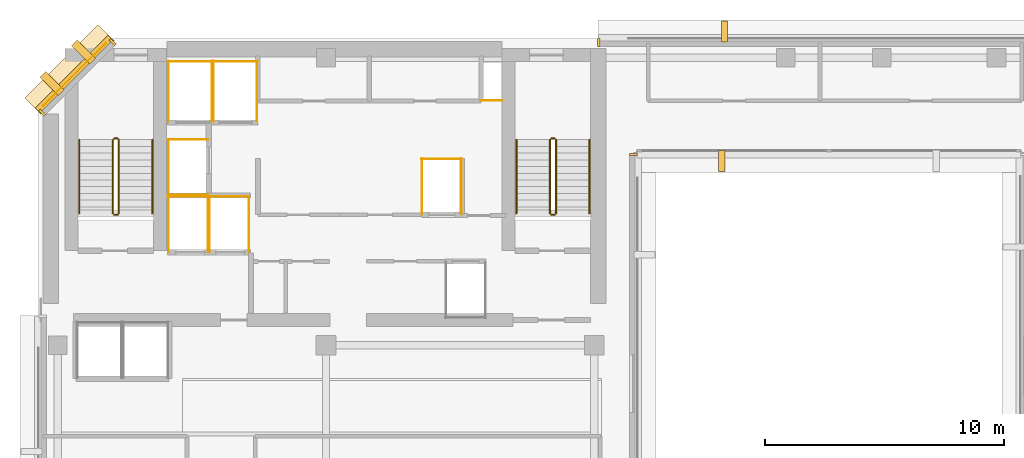
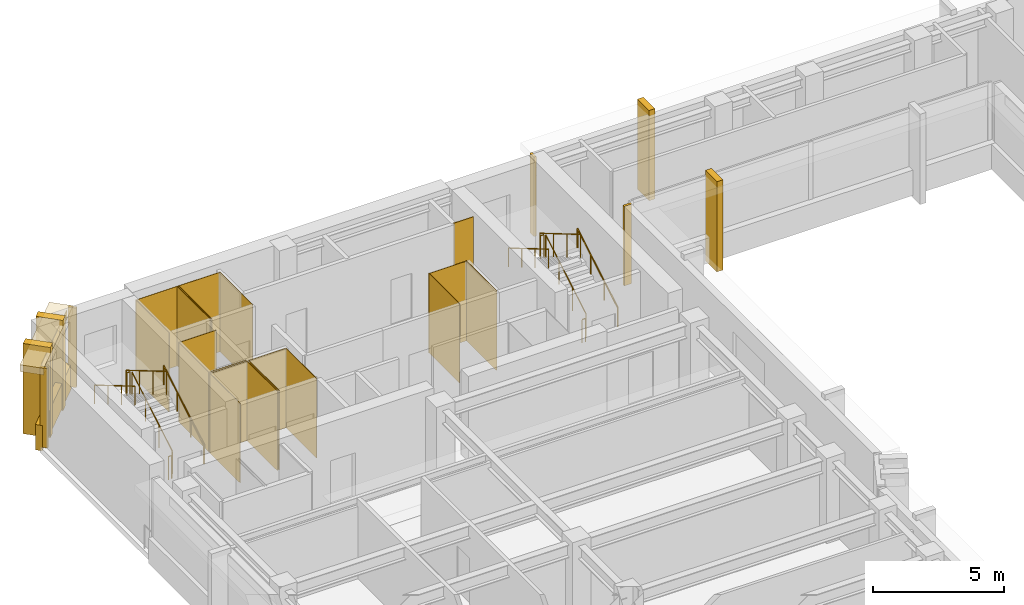
# One storey, part 10 of 11: 30 coverings, 12 railings.
"""IFC4 building model written with IfcOpenShell, lengths in metres."""

from ifc_helpers import new_model, si_unit, direction, frame, origin, origin_2d, place, context, subcontext, project, spatial, polyline, rectangle, circle, outline, extrude, material, layer, layer_set, type_object, element, save


model = new_model("IFC4")

# Units and contexts
model_context = context("Model", 3, precision=1e-05, world=origin(), true_north=direction((0.0, 1.0)))
body_context = subcontext(model_context, "Body", "Model", "MODEL_VIEW")
ifc_project = project(units=[si_unit("LENGTHUNIT", "METRE"), si_unit("AREAUNIT", "SQUARE_METRE"), si_unit("VOLUMEUNIT", "CUBIC_METRE"), si_unit("PLANEANGLEUNIT", "RADIAN"), si_unit("MASSUNIT", "GRAM", prefix="KILO")], contexts=[model_context])

# Site, building, storey
site_placement = place(None, origin())
site = spatial("IfcSite", under=ifc_project, at=site_placement, CompositionType="ELEMENT")
building_placement = place(site_placement, origin())
building = spatial("IfcBuilding", under=site, at=building_placement, Name="Kefirva Bronze Tower", CompositionType="ELEMENT")
storey_placement = place(building_placement, frame((0.0, 0.0, 239.580078125)))
storey = spatial("IfcBuildingStorey", under=building, at=storey_placement, Name="L58", CompositionType="ELEMENT", Elevation=239.580078125)

# Coverings
ifc_material_1 = material(Name="Bronze anodised aluminium", Category="aluminium")
ifc_layer_1 = layer(ifc_material_1, 0.02001953125, Name="Bronze anodised aluminium")
ifc_layer_set_1 = layer_set([ifc_layer_1], Name="Bronze anodised aluminium")
covering_type_1 = type_object("IfcCoveringType", Name="Anodised Bronze Spandrel Cladding 20mm", PredefinedType="CLADDING", material=ifc_layer_set_1)
for number, where, z_axis, x_axis, name in (
    (1, (24.840087890625, 41.1650390625, 0.0), (0.0, 0.0, 1.0), (0.0, 1.0, 0.0), "L58 Facade Joint Closure Panel 4E"),
    (2, (23.385009765625, 45.840087890625, 0.0), (0.0, 0.0, 1.0), (-1.0, 0.0, 0.0), "L58 Facade Joint Closure Panel 11E"),
):
    element("IfcCovering", number, at=place(storey_placement, frame(where, z_axis=z_axis, x_axis=x_axis)), inside=storey, type_object=covering_type_1, Name=name, PredefinedType="CLADDING", context=body_context, shape_type="SweptSolid", body=[
        extrude(rectangle(XDim=0.10009765625, YDim=0.320068359375, at=origin_2d()), origin(), (0.0, 0.0, 1.0), 3.7099609375),
    ])
covering_1_placement = place(storey_placement, frame((1.492919921875, 44.507080078125, 3.2900390625), z_axis=(0.0, 0.0, 1.0), x_axis=(-0.707106781187, -0.707106781187, 0.0)))
element("IfcCovering", 3, at=covering_1_placement, inside=storey, type_object=covering_type_1, Name="L58 Bronze Spandrel Cladding 12", PredefinedType="CLADDING", context=body_context, shape_type="SweptSolid", body=[
    extrude(rectangle(XDim=3.719482421875, YDim=0.02001953125, at=origin_2d()), origin(), (0.0, 0.0, 1.0), 0.39990234375),
])
for number, where, z_axis, x_axis, name in (
    (4, (3.08837890625, 45.862060546875, 0.0), (0.0, 0.0, 1.0), (-0.707106781187, -0.707106781187, 0.0), "L58 Facade Joint Closure Panel 12S"),
    (5, (0.137939453125, 42.91162109375, 0.0), (0.0, 0.0, 1.0), (-0.707106781187, -0.707106781187, 0.0), "L58 Facade Joint Closure Panel 12E"),
):
    element("IfcCovering", number, at=place(storey_placement, frame(where, z_axis=z_axis, x_axis=x_axis)), inside=storey, type_object=covering_type_1, Name=name, PredefinedType="CLADDING", context=body_context, shape_type="SweptSolid", body=[
        extrude(rectangle(XDim=0.10009765625, YDim=0.320068359375, at=origin_2d()), origin(), (0.0, 0.0, 1.0), 3.7099609375),
    ])
covering_2_placement = place(storey_placement, frame((1.4716796875, 44.5283203125, -0.16015625), z_axis=(0.0, 0.0, 1.0), x_axis=(-0.707106781187, -0.707106781187, 0.0)))
element("IfcCovering", 6, at=covering_2_placement, inside=storey, type_object=covering_type_1, Name="L58 Streamline Horizontal Spandrel Band 14", PredefinedType="CLADDING", context=body_context, shape_type="SweptSolid", body=[
    extrude(rectangle(XDim=4.28271484375, YDim=0.280029296875, at=origin_2d()), origin(), (0.0, 0.0, 1.0), 1.179931640625),
])
covering_3_placement = place(storey_placement, origin())
element("IfcCovering", 7, at=covering_3_placement, inside=storey, type_object=covering_type_1, Name="L58 Lift FF1 Hoistway Liner N", PredefinedType="CLADDING", context=body_context, shape_type="SweptSolid", body=[
    extrude(outline(polyline([(5.39990234375, 39.389892578125), (7.080078125, 39.389892578125), (7.080078125, 39.409912109375), (5.39990234375, 39.409912109375), (5.39990234375, 39.389892578125)])), origin(), (0.0, 0.0, 1.0), 3.7099609375),
])
covering_4_placement = place(storey_placement, origin())
element("IfcCovering", 8, at=covering_4_placement, inside=storey, type_object=covering_type_1, Name="L58 Lift FF1 Hoistway Liner W", PredefinedType="CLADDING", context=body_context, shape_type="SweptSolid", body=[
    extrude(outline(polyline([(5.409912109375, 37.080078125), (5.429931640625, 37.080078125), (5.429931640625, 39.419921875), (5.409912109375, 39.419921875), (5.409912109375, 37.080078125)])), origin(), (0.0, 0.0, 1.0), 3.7099609375),
])
covering_5_placement = place(storey_placement, origin())
element("IfcCovering", 9, at=covering_5_placement, inside=storey, type_object=covering_type_1, Name="L58 Lift FF1 Hoistway Liner E", PredefinedType="CLADDING", context=body_context, shape_type="SweptSolid", body=[
    extrude(outline(polyline([(7.050048828125, 37.080078125), (7.070068359375, 37.080078125), (7.070068359375, 39.419921875), (7.050048828125, 39.419921875), (7.050048828125, 37.080078125)])), origin(), (0.0, 0.0, 1.0), 3.7099609375),
])
covering_6_placement = place(storey_placement, origin())
element("IfcCovering", 10, at=covering_6_placement, inside=storey, type_object=covering_type_1, Name="L58 Lift FF2 Hoistway Liner N", PredefinedType="CLADDING", context=body_context, shape_type="SweptSolid", body=[
    extrude(outline(polyline([(7.1201171875, 39.389892578125), (8.800048828125, 39.389892578125), (8.800048828125, 39.409912109375), (7.1201171875, 39.409912109375), (7.1201171875, 39.389892578125)])), origin(), (0.0, 0.0, 1.0), 3.7099609375),
])
covering_7_placement = place(storey_placement, origin())
element("IfcCovering", 11, at=covering_7_placement, inside=storey, type_object=covering_type_1, Name="L58 Lift FF2 Hoistway Liner W", PredefinedType="CLADDING", context=body_context, shape_type="SweptSolid", body=[
    extrude(outline(polyline([(7.1298828125, 37.080078125), (7.14990234375, 37.080078125), (7.14990234375, 39.419921875), (7.1298828125, 39.419921875), (7.1298828125, 37.080078125)])), origin(), (0.0, 0.0, 1.0), 3.7099609375),
])
covering_8_placement = place(storey_placement, origin())
element("IfcCovering", 12, at=covering_8_placement, inside=storey, type_object=covering_type_1, Name="L58 Lift FF2 Hoistway Liner E", PredefinedType="CLADDING", context=body_context, shape_type="SweptSolid", body=[
    extrude(outline(polyline([(8.77001953125, 37.080078125), (8.7900390625, 37.080078125), (8.7900390625, 39.419921875), (8.77001953125, 39.419921875), (8.77001953125, 37.080078125)])), origin(), (0.0, 0.0, 1.0), 3.7099609375),
])
covering_9_placement = place(storey_placement, origin())
element("IfcCovering", 13, at=covering_9_placement, inside=storey, type_object=covering_type_1, Name="L58 Lift SV1 Hoistway Liner N", PredefinedType="CLADDING", context=body_context, shape_type="SweptSolid", body=[
    extrude(outline(polyline([(5.39990234375, 45.0400390625), (7.260009765625, 45.0400390625), (7.260009765625, 45.06005859375), (5.39990234375, 45.06005859375), (5.39990234375, 45.0400390625)])), origin(), (0.0, 0.0, 1.0), 3.7099609375),
])
covering_10_placement = place(storey_placement, origin())
element("IfcCovering", 14, at=covering_10_placement, inside=storey, type_object=covering_type_1, Name="L58 Lift SV1 Hoistway Liner W", PredefinedType="CLADDING", context=body_context, shape_type="SweptSolid", body=[
    extrude(outline(polyline([(5.409912109375, 42.530029296875), (5.429931640625, 42.530029296875), (5.429931640625, 45.070068359375), (5.409912109375, 45.070068359375), (5.409912109375, 42.530029296875)])), origin(), (0.0, 0.0, 1.0), 3.7099609375),
])
covering_11_placement = place(storey_placement, origin())
element("IfcCovering", 15, at=covering_11_placement, inside=storey, type_object=covering_type_1, Name="L58 Lift SV1 Hoistway Liner E", PredefinedType="CLADDING", context=body_context, shape_type="SweptSolid", body=[
    extrude(outline(polyline([(7.22998046875, 42.530029296875), (7.25, 42.530029296875), (7.25, 45.070068359375), (7.22998046875, 45.070068359375), (7.22998046875, 42.530029296875)])), origin(), (0.0, 0.0, 1.0), 3.7099609375),
])
covering_12_placement = place(storey_placement, origin())
element("IfcCovering", 16, at=covering_12_placement, inside=storey, type_object=covering_type_1, Name="L58 Lift SV2 Hoistway Liner N", PredefinedType="CLADDING", context=body_context, shape_type="SweptSolid", body=[
    extrude(outline(polyline([(7.280029296875, 45.0400390625), (9.139892578125, 45.0400390625), (9.139892578125, 45.06005859375), (7.280029296875, 45.06005859375), (7.280029296875, 45.0400390625)])), origin(), (0.0, 0.0, 1.0), 3.7099609375),
])
covering_13_placement = place(storey_placement, origin())
element("IfcCovering", 17, at=covering_13_placement, inside=storey, type_object=covering_type_1, Name="L58 Lift SV2 Hoistway Liner W", PredefinedType="CLADDING", context=body_context, shape_type="SweptSolid", body=[
    extrude(outline(polyline([(7.2900390625, 42.530029296875), (7.31005859375, 42.530029296875), (7.31005859375, 45.070068359375), (7.2900390625, 45.070068359375), (7.2900390625, 42.530029296875)])), origin(), (0.0, 0.0, 1.0), 3.7099609375),
])
covering_14_placement = place(storey_placement, origin())
element("IfcCovering", 18, at=covering_14_placement, inside=storey, type_object=covering_type_1, Name="L58 Lift SV2 Hoistway Liner E", PredefinedType="CLADDING", context=body_context, shape_type="SweptSolid", body=[
    extrude(outline(polyline([(9.110107421875, 42.530029296875), (9.1298828125, 42.530029296875), (9.1298828125, 45.070068359375), (9.110107421875, 45.070068359375), (9.110107421875, 42.530029296875)])), origin(), (0.0, 0.0, 1.0), 3.7099609375),
])
covering_15_placement = place(storey_placement, origin())
element("IfcCovering", 19, at=covering_15_placement, inside=storey, type_object=covering_type_1, Name="L58 Lift HP2 Hoistway Liner N", PredefinedType="CLADDING", context=body_context, shape_type="SweptSolid", body=[
    extrude(outline(polyline([(15.97998046875, 40.969970703125), (17.669921875, 40.969970703125), (17.669921875, 40.989990234375), (15.97998046875, 40.989990234375), (15.97998046875, 40.969970703125)])), origin(), (0.0, 0.0, 1.0), 3.7099609375),
])
covering_16_placement = place(storey_placement, origin())
element("IfcCovering", 20, at=covering_16_placement, inside=storey, type_object=covering_type_1, Name="L58 Lift HP2 Hoistway Liner W", PredefinedType="CLADDING", context=body_context, shape_type="SweptSolid", body=[
    extrude(outline(polyline([(15.989990234375, 38.659912109375), (16.010009765625, 38.659912109375), (16.010009765625, 41.0), (15.989990234375, 41.0), (15.989990234375, 38.659912109375)])), origin(), (0.0, 0.0, 1.0), 3.7099609375),
])
covering_17_placement = place(storey_placement, origin())
element("IfcCovering", 21, at=covering_17_placement, inside=storey, type_object=covering_type_1, Name="L58 Lift HP2 Hoistway Liner E", PredefinedType="CLADDING", context=body_context, shape_type="SweptSolid", body=[
    extrude(outline(polyline([(17.639892578125, 38.659912109375), (17.659912109375, 38.659912109375), (17.659912109375, 41.0), (17.639892578125, 41.0), (17.639892578125, 38.659912109375)])), origin(), (0.0, 0.0, 1.0), 3.7099609375),
])
covering_18_placement = place(storey_placement, origin())
element("IfcCovering", 22, at=covering_18_placement, inside=storey, type_object=covering_type_1, Name="L58 Lift HP3 Hoistway Liner N", PredefinedType="CLADDING", context=body_context, shape_type="SweptSolid", body=[
    extrude(outline(polyline([(5.39990234375, 41.77001953125), (7.080078125, 41.77001953125), (7.080078125, 41.7900390625), (5.39990234375, 41.7900390625), (5.39990234375, 41.77001953125)])), origin(), (0.0, 0.0, 1.0), 3.7099609375),
])
covering_19_placement = place(storey_placement, origin())
element("IfcCovering", 23, at=covering_19_placement, inside=storey, type_object=covering_type_1, Name="L58 Lift HP3 Hoistway Liner S", PredefinedType="CLADDING", context=body_context, shape_type="SweptSolid", body=[
    extrude(outline(polyline([(5.39990234375, 39.469970703125), (7.080078125, 39.469970703125), (7.080078125, 39.489990234375), (5.39990234375, 39.489990234375), (5.39990234375, 39.469970703125)])), origin(), (0.0, 0.0, 1.0), 3.7099609375),
])
covering_20_placement = place(storey_placement, origin())
element("IfcCovering", 24, at=covering_20_placement, inside=storey, type_object=covering_type_1, Name="L58 Lift HP3 Hoistway Liner W", PredefinedType="CLADDING", context=body_context, shape_type="SweptSolid", body=[
    extrude(outline(polyline([(5.409912109375, 39.4599609375), (5.429931640625, 39.4599609375), (5.429931640625, 41.800048828125), (5.409912109375, 41.800048828125), (5.409912109375, 39.4599609375)])), origin(), (0.0, 0.0, 1.0), 3.7099609375),
])
covering_21_placement = place(storey_placement, origin())
element("IfcCovering", 25, at=covering_21_placement, inside=storey, type_object=covering_type_1, Name="L58 Core MEP Riser Shaft Liner South", PredefinedType="CLADDING", context=body_context, shape_type="SweptSolid", body=[
    extrude(outline(polyline([(18.47998046875, 43.39990234375), (19.360107421875, 43.39990234375), (19.360107421875, 43.429931640625), (18.47998046875, 43.429931640625), (18.47998046875, 43.39990234375)])), origin(), (0.0, 0.0, 1.0), 3.7099609375),
])

# Railings
ifc_material_2 = material(Name="Stainless steel 316", Category="steel")
railing_type_1 = type_object("IfcRailingType", Name="Interior Stair Guardrail 1100mm", PredefinedType="GUARDRAIL", material=ifc_material_2)
railing_1_placement = place(storey_placement, frame((3.35009765625, 38.699951171875, 0.1650390625)))
element("IfcRailing", 26, at=railing_1_placement, inside=storey, type_object=railing_type_1, Name="L58 ST-1 stair guard 1", PredefinedType="GUARDRAIL", context=body_context, shape_type="SweptSolid", body=[
    extrude(circle(Radius=0.02392578125, at=origin_2d()), frame((0.0, 0.0, 1.076171875), z_axis=(0.0, 0.861551262678, 0.507670583921), x_axis=(-1.0, 0.0, 0.0)), (0.0, 0.0, 1.0), 3.574951171875),
    extrude(circle(Radius=0.02099609375, at=origin_2d()), origin(), (0.0, 0.0, 1.0), 1.052001953125),
    extrude(circle(Radius=0.02099609375, at=origin_2d()), frame((0.0, 1.026611328125, 0.60498046875)), (0.0, 0.0, 1.0), 1.052001953125),
    extrude(circle(Radius=0.02099609375, at=origin_2d()), frame((0.0, 2.053466796875, 1.2099609375)), (0.0, 0.0, 1.0), 1.052001953125),
    extrude(circle(Radius=0.02099609375, at=origin_2d()), frame((0.0, 3.080078125, 1.81494140625)), (0.0, 0.0, 1.0), 1.052001953125),
])
railing_2_placement = place(storey_placement, frame((3.300048828125, 41.830078125, 1.97998046875)))
element("IfcRailing", 27, at=railing_2_placement, inside=storey, type_object=railing_type_1, Name="L58 ST-1 stair guard 2", PredefinedType="GUARDRAIL", context=body_context, shape_type="SweptSolid", body=[
    extrude(circle(Radius=0.02392578125, at=origin_2d()), frame((0.0, 0.0, 1.076171875), z_axis=(-1.0, 0.0, 0.0), x_axis=(0.0, -1.0, 0.0)), (0.0, 0.0, 1.0), 0.150146484375),
    extrude(circle(Radius=0.02099609375, at=origin_2d()), origin(), (0.0, 0.0, 1.0), 1.052001953125),
    extrude(circle(Radius=0.02099609375, at=origin_2d()), frame((-0.150146484375, 0.0, 0.0)), (0.0, 0.0, 1.0), 1.052001953125),
])
railing_3_placement = place(storey_placement, frame((3.10009765625, 41.780029296875, 2.14501953125)))
element("IfcRailing", 28, at=railing_3_placement, inside=storey, type_object=railing_type_1, Name="L58 ST-1 stair guard 3", PredefinedType="GUARDRAIL", context=body_context, shape_type="SweptSolid", body=[
    extrude(circle(Radius=0.02392578125, at=origin_2d()), frame((0.0, 0.0, 1.076171875), z_axis=(0.0, -0.861551262678, 0.507670583921), x_axis=(1.0, 0.0, 0.0)), (0.0, 0.0, 1.0), 3.574951171875),
    extrude(circle(Radius=0.02099609375, at=origin_2d()), origin(), (0.0, 0.0, 1.0), 1.052001953125),
    extrude(circle(Radius=0.02099609375, at=origin_2d()), frame((0.0, -1.026611328125, 0.60498046875)), (0.0, 0.0, 1.0), 1.052001953125),
    extrude(circle(Radius=0.02099609375, at=origin_2d()), frame((0.0, -2.053466796875, 1.2099609375)), (0.0, 0.0, 1.0), 1.052001953125),
    extrude(circle(Radius=0.02099609375, at=origin_2d()), frame((0.0, -3.080078125, 1.81494140625)), (0.0, 0.0, 1.0), 1.052001953125),
])
railing_4_placement = place(storey_placement, frame((3.300048828125, 38.64990234375, 0.0)))
element("IfcRailing", 29, at=railing_4_placement, inside=storey, type_object=railing_type_1, Name="L58 ST-1 stair guard 4", PredefinedType="GUARDRAIL", context=body_context, shape_type="SweptSolid", body=[
    extrude(circle(Radius=0.02392578125, at=origin_2d()), frame((0.0, 0.0, 1.076171875), z_axis=(-1.0, 0.0, 0.0), x_axis=(0.0, -1.0, 0.0)), (0.0, 0.0, 1.0), 0.150146484375),
    extrude(circle(Radius=0.02099609375, at=origin_2d()), origin(), (0.0, 0.0, 1.0), 1.052001953125),
    extrude(circle(Radius=0.02099609375, at=origin_2d()), frame((-0.150146484375, 0.0, 0.0)), (0.0, 0.0, 1.0), 1.052001953125),
])
railing_5_placement = place(storey_placement, frame((21.60009765625, 38.699951171875, 0.1650390625)))
element("IfcRailing", 30, at=railing_5_placement, inside=storey, type_object=railing_type_1, Name="L58 ST-2 stair guard 1", PredefinedType="GUARDRAIL", context=body_context, shape_type="SweptSolid", body=[
    extrude(circle(Radius=0.02392578125, at=origin_2d()), frame((0.0, 0.0, 1.076171875), z_axis=(0.0, 0.861551262678, 0.507670583921), x_axis=(-1.0, 0.0, 0.0)), (0.0, 0.0, 1.0), 3.574951171875),
    extrude(circle(Radius=0.02099609375, at=origin_2d()), origin(), (0.0, 0.0, 1.0), 1.052001953125),
    extrude(circle(Radius=0.02099609375, at=origin_2d()), frame((0.0, 1.026611328125, 0.60498046875)), (0.0, 0.0, 1.0), 1.052001953125),
    extrude(circle(Radius=0.02099609375, at=origin_2d()), frame((0.0, 2.053466796875, 1.2099609375)), (0.0, 0.0, 1.0), 1.052001953125),
    extrude(circle(Radius=0.02099609375, at=origin_2d()), frame((0.0, 3.080078125, 1.81494140625)), (0.0, 0.0, 1.0), 1.052001953125),
])
railing_6_placement = place(storey_placement, frame((21.550048828125, 41.830078125, 1.97998046875)))
element("IfcRailing", 31, at=railing_6_placement, inside=storey, type_object=railing_type_1, Name="L58 ST-2 stair guard 2", PredefinedType="GUARDRAIL", context=body_context, shape_type="SweptSolid", body=[
    extrude(circle(Radius=0.02392578125, at=origin_2d()), frame((0.0, 0.0, 1.076171875), z_axis=(-1.0, 0.0, 0.0), x_axis=(0.0, -1.0, 0.0)), (0.0, 0.0, 1.0), 0.150146484375),
    extrude(circle(Radius=0.02099609375, at=origin_2d()), origin(), (0.0, 0.0, 1.0), 1.052001953125),
    extrude(circle(Radius=0.02099609375, at=origin_2d()), frame((-0.150146484375, 0.0, 0.0)), (0.0, 0.0, 1.0), 1.052001953125),
])
railing_7_placement = place(storey_placement, frame((21.35009765625, 41.780029296875, 2.14501953125)))
element("IfcRailing", 32, at=railing_7_placement, inside=storey, type_object=railing_type_1, Name="L58 ST-2 stair guard 3", PredefinedType="GUARDRAIL", context=body_context, shape_type="SweptSolid", body=[
    extrude(circle(Radius=0.02392578125, at=origin_2d()), frame((0.0, 0.0, 1.076171875), z_axis=(0.0, -0.861551262678, 0.507670583921), x_axis=(1.0, 0.0, 0.0)), (0.0, 0.0, 1.0), 3.574951171875),
    extrude(circle(Radius=0.02099609375, at=origin_2d()), origin(), (0.0, 0.0, 1.0), 1.052001953125),
    extrude(circle(Radius=0.02099609375, at=origin_2d()), frame((0.0, -1.026611328125, 0.60498046875)), (0.0, 0.0, 1.0), 1.052001953125),
    extrude(circle(Radius=0.02099609375, at=origin_2d()), frame((0.0, -2.053466796875, 1.2099609375)), (0.0, 0.0, 1.0), 1.052001953125),
    extrude(circle(Radius=0.02099609375, at=origin_2d()), frame((0.0, -3.080078125, 1.81494140625)), (0.0, 0.0, 1.0), 1.052001953125),
])
railing_8_placement = place(storey_placement, frame((21.550048828125, 38.64990234375, 0.0)))
element("IfcRailing", 33, at=railing_8_placement, inside=storey, type_object=railing_type_1, Name="L58 ST-2 stair guard 4", PredefinedType="GUARDRAIL", context=body_context, shape_type="SweptSolid", body=[
    extrude(circle(Radius=0.02392578125, at=origin_2d()), frame((0.0, 0.0, 1.076171875), z_axis=(-1.0, 0.0, 0.0), x_axis=(0.0, -1.0, 0.0)), (0.0, 0.0, 1.0), 0.150146484375),
    extrude(circle(Radius=0.02099609375, at=origin_2d()), origin(), (0.0, 0.0, 1.0), 1.052001953125),
    extrude(circle(Radius=0.02099609375, at=origin_2d()), frame((-0.150146484375, 0.0, 0.0)), (0.0, 0.0, 1.0), 1.052001953125),
])
railing_type_2 = type_object("IfcRailingType", Name="Stair Pitch Handrail 900mm", PredefinedType="HANDRAIL", material=ifc_material_2)
railing_9_placement = place(storey_placement, frame((4.75, 38.699951171875, 0.1650390625)))
element("IfcRailing", 34, at=railing_9_placement, inside=storey, type_object=railing_type_2, Name="L58 ST-1 stair handrail 1", PredefinedType="HANDRAIL", context=body_context, shape_type="SweptSolid", body=[
    extrude(circle(Radius=0.02392578125, at=origin_2d()), frame((0.0, 0.0, 0.8759765625), z_axis=(0.0, 0.861551262678, 0.507670583921), x_axis=(-1.0, 0.0, 0.0)), (0.0, 0.0, 1.0), 3.574951171875),
    extrude(circle(Radius=0.02099609375, at=origin_2d()), origin(), (0.0, 0.0, 1.0), 0.851806640625),
    extrude(circle(Radius=0.02099609375, at=origin_2d()), frame((0.0, 1.026611328125, 0.60498046875)), (0.0, 0.0, 1.0), 0.851806640625),
    extrude(circle(Radius=0.02099609375, at=origin_2d()), frame((0.0, 2.053466796875, 1.2099609375)), (0.0, 0.0, 1.0), 0.851806640625),
    extrude(circle(Radius=0.02099609375, at=origin_2d()), frame((0.0, 3.080078125, 1.81494140625)), (0.0, 0.0, 1.0), 0.851806640625),
])
railing_10_placement = place(storey_placement, frame((1.699951171875, 41.780029296875, 2.14501953125)))
element("IfcRailing", 35, at=railing_10_placement, inside=storey, type_object=railing_type_2, Name="L58 ST-1 stair handrail 2", PredefinedType="HANDRAIL", context=body_context, shape_type="SweptSolid", body=[
    extrude(circle(Radius=0.02392578125, at=origin_2d()), frame((0.0, 0.0, 0.8759765625), z_axis=(0.0, -0.861551262678, 0.507670583921), x_axis=(1.0, 0.0, 0.0)), (0.0, 0.0, 1.0), 3.574951171875),
    extrude(circle(Radius=0.02099609375, at=origin_2d()), origin(), (0.0, 0.0, 1.0), 0.851806640625),
    extrude(circle(Radius=0.02099609375, at=origin_2d()), frame((0.0, -1.026611328125, 0.60498046875)), (0.0, 0.0, 1.0), 0.851806640625),
    extrude(circle(Radius=0.02099609375, at=origin_2d()), frame((0.0, -2.053466796875, 1.2099609375)), (0.0, 0.0, 1.0), 0.851806640625),
    extrude(circle(Radius=0.02099609375, at=origin_2d()), frame((0.0, -3.080078125, 1.81494140625)), (0.0, 0.0, 1.0), 0.851806640625),
])
railing_11_placement = place(storey_placement, frame((23.0, 38.699951171875, 0.1650390625)))
element("IfcRailing", 36, at=railing_11_placement, inside=storey, type_object=railing_type_2, Name="L58 ST-2 stair handrail 1", PredefinedType="HANDRAIL", context=body_context, shape_type="SweptSolid", body=[
    extrude(circle(Radius=0.02392578125, at=origin_2d()), frame((0.0, 0.0, 0.8759765625), z_axis=(0.0, 0.861551262678, 0.507670583921), x_axis=(-1.0, 0.0, 0.0)), (0.0, 0.0, 1.0), 3.574951171875),
    extrude(circle(Radius=0.02099609375, at=origin_2d()), origin(), (0.0, 0.0, 1.0), 0.851806640625),
    extrude(circle(Radius=0.02099609375, at=origin_2d()), frame((0.0, 1.026611328125, 0.60498046875)), (0.0, 0.0, 1.0), 0.851806640625),
    extrude(circle(Radius=0.02099609375, at=origin_2d()), frame((0.0, 2.053466796875, 1.2099609375)), (0.0, 0.0, 1.0), 0.851806640625),
    extrude(circle(Radius=0.02099609375, at=origin_2d()), frame((0.0, 3.080078125, 1.81494140625)), (0.0, 0.0, 1.0), 0.851806640625),
])
railing_12_placement = place(storey_placement, frame((19.949951171875, 41.780029296875, 2.14501953125)))
element("IfcRailing", 37, at=railing_12_placement, inside=storey, type_object=railing_type_2, Name="L58 ST-2 stair handrail 2", PredefinedType="HANDRAIL", context=body_context, shape_type="SweptSolid", body=[
    extrude(circle(Radius=0.02392578125, at=origin_2d()), frame((0.0, 0.0, 0.8759765625), z_axis=(0.0, -0.861551262678, 0.507670583921), x_axis=(1.0, 0.0, 0.0)), (0.0, 0.0, 1.0), 3.574951171875),
    extrude(circle(Radius=0.02099609375, at=origin_2d()), origin(), (0.0, 0.0, 1.0), 0.851806640625),
    extrude(circle(Radius=0.02099609375, at=origin_2d()), frame((0.0, -1.026611328125, 0.60498046875)), (0.0, 0.0, 1.0), 0.851806640625),
    extrude(circle(Radius=0.02099609375, at=origin_2d()), frame((0.0, -2.053466796875, 1.2099609375)), (0.0, 0.0, 1.0), 0.851806640625),
    extrude(circle(Radius=0.02099609375, at=origin_2d()), frame((0.0, -3.080078125, 1.81494140625)), (0.0, 0.0, 1.0), 0.851806640625),
])

# Coverings
ifc_layer_2 = layer(ifc_material_1, 0.179931640625, Name="Bronze anodised aluminium")
ifc_layer_set_2 = layer_set([ifc_layer_2], Name="Bronze anodised aluminium")
covering_type_2 = type_object("IfcCoveringType", Name="Streamline Bronze Sunshade Eyebrow Cladding 180mm", PredefinedType="CLADDING", material=ifc_layer_set_2)
covering_22_placement = place(storey_placement, frame((1.28076171875, 44.71923828125, 3.3896484375), z_axis=(0.0, 0.0, 1.0), x_axis=(-0.707106781187, -0.707106781187, 0.0)))
element("IfcCovering", 38, at=covering_22_placement, inside=storey, type_object=covering_type_2, Name="L58 Streamline Bronze Sunshade Eyebrow 14", PredefinedType="CLADDING", context=body_context, shape_type="SweptSolid", body=[
    extrude(rectangle(XDim=4.322509765625, YDim=0.93994140625, at=origin_2d()), origin(), (0.0, 0.0, 1.0), 0.320068359375),
])
ifc_layer_3 = layer(ifc_material_1, 0.260009765625, Name="Bronze anodised aluminium")
ifc_layer_set_3 = layer_set([ifc_layer_3], Name="Bronze anodised aluminium")
covering_type_3 = type_object("IfcCoveringType", Name="Unbroken Bronze Buttress Fin Cladding 260mm", PredefinedType="CLADDING", material=ifc_layer_set_3)
for number, where, z_axis, x_axis, name in (
    (39, (28.52001953125, 40.89990234375, -0.25), (0.0, 0.0, 1.0), (1.0, 0.0, 0.0), "L58 Unbroken Vertical Bronze Rib Fin 11"),
    (40, (28.639892578125, 46.300048828125, -0.25), (0.0, 0.0, 1.0), (-1.0, 0.0, 0.0), "L58 Unbroken Vertical Bronze Rib Fin 24"),
):
    element("IfcCovering", number, at=place(storey_placement, frame(where, z_axis=z_axis, x_axis=x_axis)), inside=storey, type_object=covering_type_3, Name=name, PredefinedType="CLADDING", context=body_context, shape_type="SweptSolid", body=[
        extrude(rectangle(XDim=0.260009765625, YDim=0.8798828125, at=origin_2d()), origin(), (0.0, 0.0, 1.0), 4.2099609375),
    ])
for number, where, z_axis, x_axis, name in (
    (41, (1.877197265625, 45.44287109375, -0.25), (0.0, 0.0, 1.0), (-0.707106781187, -0.707106781187, 0.0), "L58 Chamfered Corner Buttress Fin Cladding 25"),
    (42, (0.55712890625, 44.122802734375, -0.25), (0.0, 0.0, 1.0), (-0.707106781187, -0.707106781187, 0.0), "L58 Chamfered Corner Buttress Fin Cladding 26"),
):
    element("IfcCovering", number, at=place(storey_placement, frame(where, z_axis=z_axis, x_axis=x_axis)), inside=storey, type_object=covering_type_3, Name=name, PredefinedType="CLADDING", context=body_context, shape_type="SweptSolid", body=[
        extrude(rectangle(XDim=0.340087890625, YDim=1.080078125, at=origin_2d()), origin(), (0.0, 0.0, 1.0), 4.2099609375),
    ])

save(model, "model.ifc")
